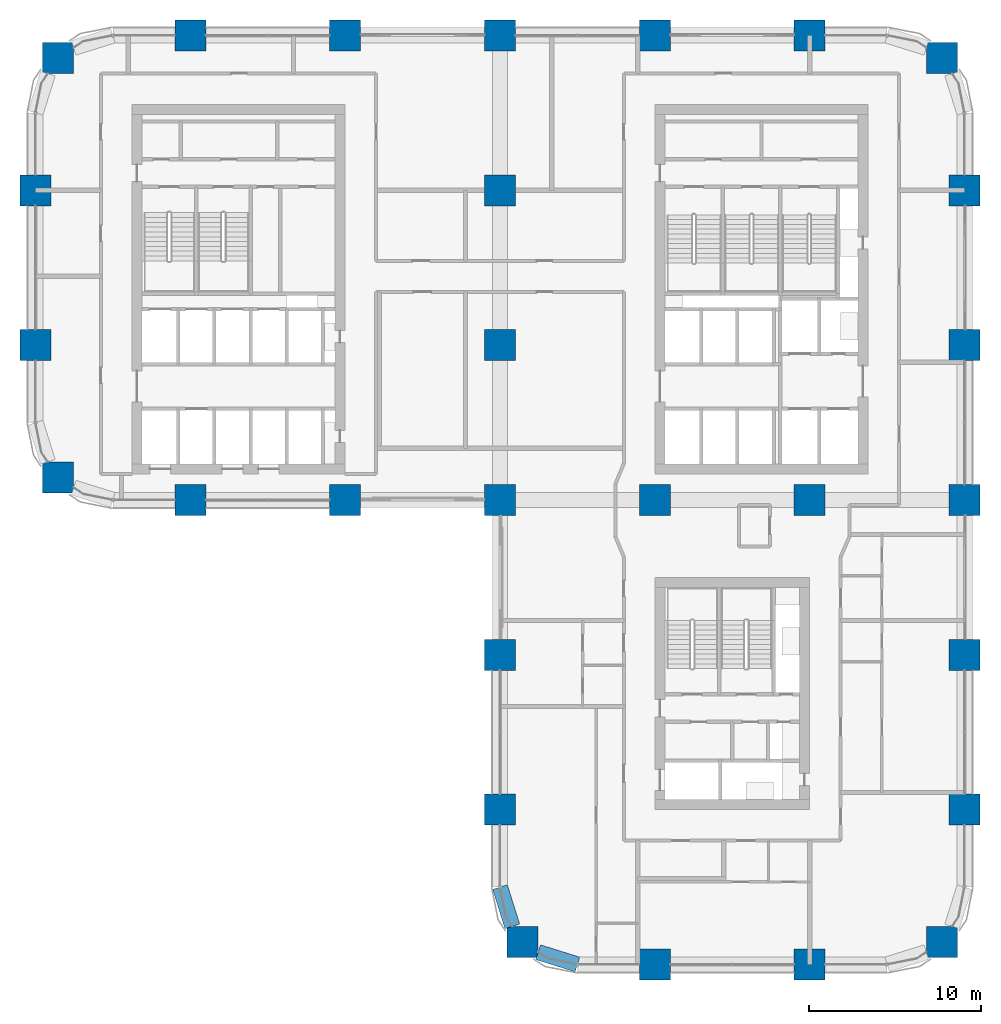
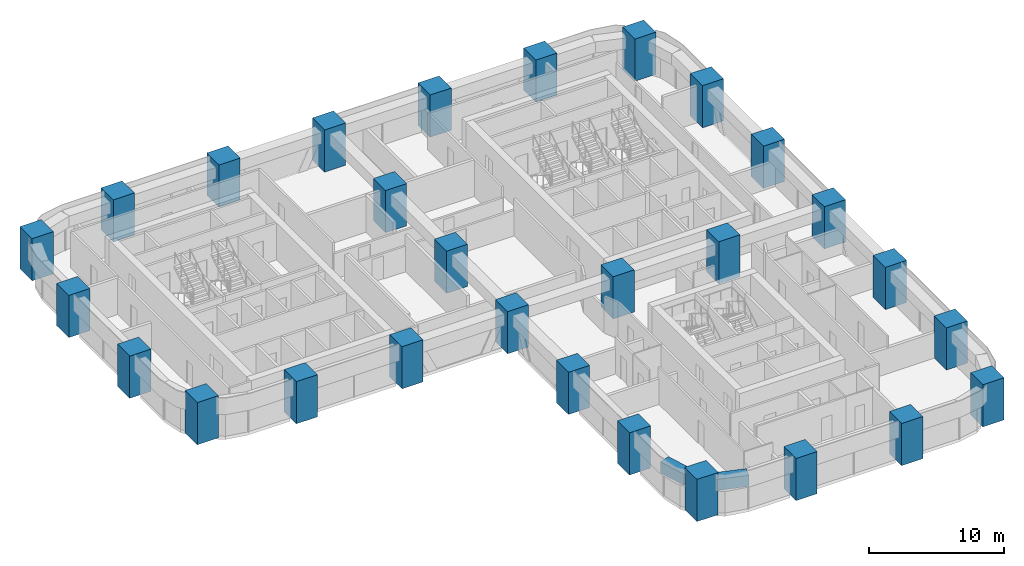
# One storey, part 1 of 20: 28 columns, 2 beams.
"""IFC4 building model written with IfcOpenShell, lengths in metres."""

from ifc_helpers import new_model, si_unit, direction, frame, origin, origin_2d, place, context, subcontext, project, spatial, rectangle, extrude, material, material_profile, profile_set, type_object, element, save


model = new_model("IFC4")

# Units and contexts
model_context = context("Model", 3, precision=1e-05, world=origin(), true_north=direction((0.0, 1.0)))
body_context = subcontext(model_context, "Body", "Model", "MODEL_VIEW")
ifc_project = project(units=[si_unit("LENGTHUNIT", "METRE"), si_unit("AREAUNIT", "SQUARE_METRE"), si_unit("VOLUMEUNIT", "CUBIC_METRE"), si_unit("PLANEANGLEUNIT", "RADIAN"), si_unit("MASSUNIT", "GRAM", prefix="KILO")], contexts=[model_context])

# Site, building, storey
site_placement = place(None, origin())
site = spatial("IfcSite", under=ifc_project, at=site_placement, CompositionType="ELEMENT")
building_placement = place(site_placement, origin())
building = spatial("IfcBuilding", under=site, at=building_placement, Name="Tessera Arch", CompositionType="ELEMENT")
storey_placement = place(building_placement, frame((0.0, 0.0, 119.60009765625)))
storey = spatial("IfcBuildingStorey", under=building, at=storey_placement, Name="L28", CompositionType="ELEMENT", Elevation=119.60009765625)

# Columns
ifc_material_1 = material(Name="Concrete C80/95", Category="concrete")
ifc_material_profile_1 = material_profile(ifc_material_1, rectangle(XDim=1.800048828125, YDim=1.800048828125, at=origin_2d()), Name="RC column 1800 x 1800 Concrete C80/95")
ifc_profile_set_1 = profile_set([ifc_material_profile_1], Name="Concrete C80/95")
column_type = type_object("IfcColumnType", Name="RC column 1800 x 1800 Concrete C80/95", PredefinedType="COLUMN", material=ifc_profile_set_1)
for number, where, z_axis, x_axis, name in (
    (1, (1.318115234375, 28.318115234375, 0.0), (0.0, 0.0, 1.0), (1.0, 0.0, 0.0), "Column C1D L28"),
    (2, (0.0, 36.0, 0.0), (0.0, 0.0, 1.0), (1.0, 0.0, 0.0), "Column C1E L28"),
    (3, (0.0, 45.0, 0.0), (0.0, 0.0, 1.0), (1.0, 0.0, 0.0), "Column C1F L28"),
    (4, (1.318115234375, 52.681884765625, 0.0), (0.0, 0.0, 1.0), (1.0, 0.0, 0.0), "Column C1G L28"),
    (5, (9.0, 27.0, 0.0), (0.0, 0.0, 1.0), (1.0, 0.0, 0.0), "Column C2D L28"),
    (6, (9.0, 54.0, 0.0), (0.0, 0.0, 1.0), (1.0, 0.0, 0.0), "Column C2G L28"),
    (7, (18.0, 27.0, 0.0), (0.0, 0.0, 1.0), (1.0, 0.0, 0.0), "Column C3D L28"),
    (8, (18.0, 54.0, 0.0), (0.0, 0.0, 1.0), (1.0, 0.0, 0.0), "Column C3G L28"),
    (9, (28.318115234375, 1.318115234375, 0.0), (0.0, 0.0, 1.0), (1.0, 0.0, 0.0), "Column C4A L28"),
    (10, (27.0, 9.0, 0.0), (0.0, 0.0, 1.0), (1.0, 0.0, 0.0), "Column C4B L28"),
    (11, (27.0, 18.0, 0.0), (0.0, 0.0, 1.0), (1.0, 0.0, 0.0), "Column C4C L28"),
    (12, (27.0, 27.0, 0.0), (0.0, 0.0, 1.0), (1.0, 0.0, 0.0), "Column C4D L28"),
    (13, (27.0, 36.0, 0.0), (0.0, 0.0, 1.0), (1.0, 0.0, 0.0), "Column C4E L28"),
    (14, (27.0, 45.0, 0.0), (0.0, 0.0, 1.0), (1.0, 0.0, 0.0), "Column C4F L28"),
    (15, (27.0, 54.0, 0.0), (0.0, 0.0, 1.0), (1.0, 0.0, 0.0), "Column C4G L28"),
    (16, (36.0, 0.0, 0.0), (0.0, 0.0, 1.0), (1.0, 0.0, 0.0), "Column C5A L28"),
    (17, (36.0, 27.0, 0.0), (0.0, 0.0, 1.0), (1.0, 0.0, 0.0), "Column C5D L28"),
    (18, (36.0, 54.0, 0.0), (0.0, 0.0, 1.0), (1.0, 0.0, 0.0), "Column C5G L28"),
    (19, (45.0, 0.0, 0.0), (0.0, 0.0, 1.0), (1.0, 0.0, 0.0), "Column C6A L28"),
    (20, (45.0, 27.0, 0.0), (0.0, 0.0, 1.0), (1.0, 0.0, 0.0), "Column C6D L28"),
    (21, (45.0, 54.0, 0.0), (0.0, 0.0, 1.0), (1.0, 0.0, 0.0), "Column C6G L28"),
    (22, (52.681884765625, 1.318115234375, 0.0), (0.0, 0.0, 1.0), (1.0, 0.0, 0.0), "Column C7A L28"),
    (23, (54.0, 9.0, 0.0), (0.0, 0.0, 1.0), (1.0, 0.0, 0.0), "Column C7B L28"),
    (24, (54.0, 18.0, 0.0), (0.0, 0.0, 1.0), (1.0, 0.0, 0.0), "Column C7C L28"),
    (25, (54.0, 27.0, 0.0), (0.0, 0.0, 1.0), (1.0, 0.0, 0.0), "Column C7D L28"),
    (26, (54.0, 36.0, 0.0), (0.0, 0.0, 1.0), (1.0, 0.0, 0.0), "Column C7E L28"),
    (27, (54.0, 45.0, 0.0), (0.0, 0.0, 1.0), (1.0, 0.0, 0.0), "Column C7F L28"),
    (28, (52.681884765625, 52.681884765625, 0.0), (0.0, 0.0, 1.0), (1.0, 0.0, 0.0), "Column C7G L28"),
):
    element("IfcColumn", number, at=place(storey_placement, frame(where, z_axis=z_axis, x_axis=x_axis)), inside=storey, type_object=column_type, Name=name, PredefinedType="COLUMN", context=body_context, shape_type="SweptSolid", body=[
        extrude(rectangle(XDim=1.800048828125, YDim=1.800048828125, at=origin_2d()), origin(), (0.0, 0.0, 1.0), 3.7998046875),
    ])

# Beams
ifc_material_2 = material(Name="Concrete C80/95", Category="concrete")
ifc_material_profile_2 = material_profile(ifc_material_2, rectangle(XDim=0.89990234375, YDim=1.0, at=origin_2d()), Name="RC spandrel beam 900 x 1000 Concrete C80/95")
ifc_profile_set_2 = profile_set([ifc_material_profile_2], Name="Concrete C80/95")
beam_type = type_object("IfcBeamType", Name="RC spandrel beam 900 x 1000 Concrete C80/95", PredefinedType="BEAM", material=ifc_profile_set_2)
for number, where, z_axis, x_axis, name in (
    (29, (27.0, 4.5, 2.7998046875), (0.299675309057, -0.954041251279, 0.0), (0.954041251279, 0.299675309057, 0.0), "Spandrel beam L28 W27.0/2.2"),
    (30, (29.218017578125, 0.716796875, 2.7998046875), (0.954041251279, -0.299675309057, 0.0), (0.299675309057, 0.954041251279, 0.0), "Spandrel beam L28 S0.27/0.1"),
):
    element("IfcBeam", number, at=place(storey_placement, frame(where, z_axis=z_axis, x_axis=x_axis)), inside=storey, type_object=beam_type, Name=name, PredefinedType="BEAM", context=body_context, shape_type="SweptSolid", body=[
        extrude(rectangle(XDim=0.89990234375, YDim=1.0, at=origin_2d()), origin(), (0.0, 0.0, 1.0), 2.391845703125),
    ])

save(model, "model.ifc")
